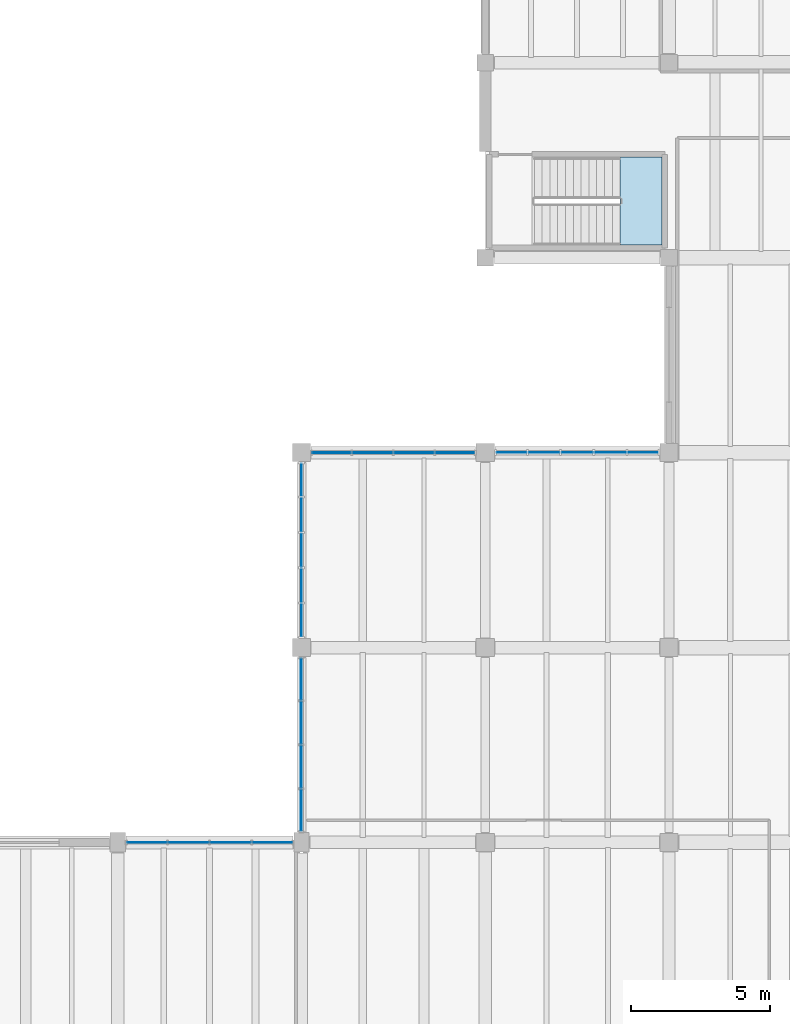
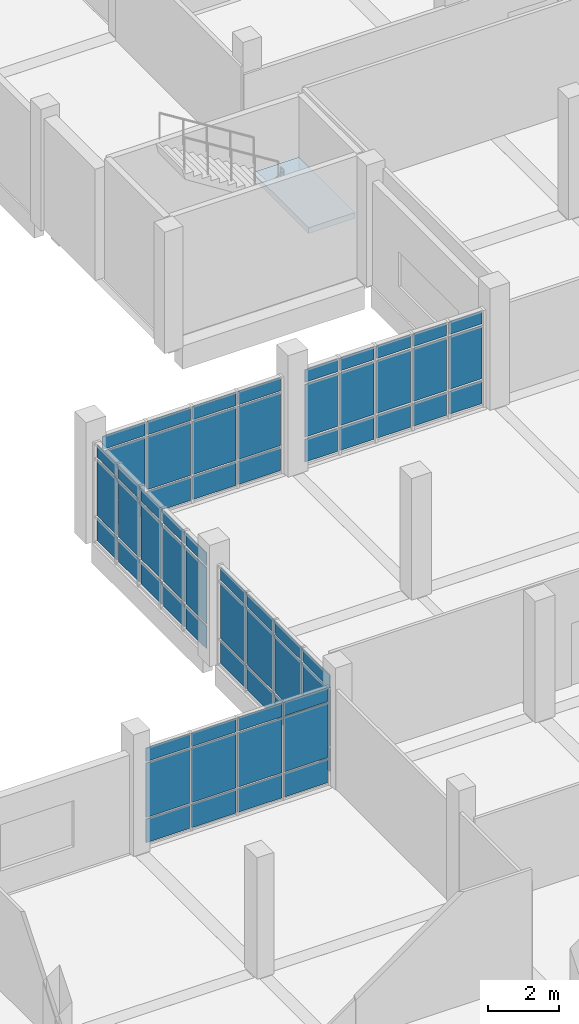
# One storey, part 34 of 68: 66 plates, 1 slab, 6 elements without a shape of their own.
"""IFC4 building model written with IfcOpenShell, lengths in metres."""

from ifc_helpers import new_model, si_unit, direction, frame, origin, origin_2d, place, context, subcontext, project, spatial, polyline, rectangle, outline, extrude, material, layer, layer_set, type_object, element, aggregate, save


model = new_model("IFC4")

# Units and contexts
model_context = context("Model", 3, precision=1e-05, world=origin(), true_north=direction((0.0, 1.0)))
body_context = subcontext(model_context, "Body", "Model", "MODEL_VIEW")
ifc_project = project(units=[si_unit("LENGTHUNIT", "METRE"), si_unit("AREAUNIT", "SQUARE_METRE"), si_unit("VOLUMEUNIT", "CUBIC_METRE"), si_unit("PLANEANGLEUNIT", "RADIAN"), si_unit("MASSUNIT", "GRAM", prefix="KILO")], contexts=[model_context])

# Site, building, storey
site_placement = place(None, origin())
site = spatial("IfcSite", under=ifc_project, at=site_placement, CompositionType="ELEMENT")
building_placement = place(site_placement, origin())
building = spatial("IfcBuilding", under=site, at=building_placement, Name="Ciguamira Faculty of Natural Sciences", CompositionType="ELEMENT")
storey_placement = place(building_placement, frame((0.0, 0.0, 4.199951171875)))
storey = spatial("IfcBuildingStorey", under=building, at=storey_placement, Name="L01", CompositionType="ELEMENT", Elevation=4.199951171875)

# Curtain wall, plates
ifc_material_1 = material(Name="Anodized aluminium curtain wall", Category="aluminium")
curtain_wall_type_1 = type_object("IfcCurtainWallType", Name="CurtainWall_CW-07", PredefinedType="USERDEFINED", material=ifc_material_1)
curtain_wall_1_placement = place(storey_placement, origin())
curtain_wall_1 = element("IfcCurtainWall", 1, at=curtain_wall_1_placement, inside=storey, type_object=curtain_wall_type_1, Name="L01 unitised curtain wall 0031", ObjectType="UNITISED CURTAIN WALL", PredefinedType="USERDEFINED")
ifc_material_2 = material(Name="Low-E laminated solar glass", Category="glass")
ifc_layer_1 = layer(ifc_material_2, 0.028076171875, Name="Low-E laminated solar glass")
ifc_layer_set_1 = layer_set([ifc_layer_1], Name="Low-E laminated solar glass")
plate_type_1 = type_object("IfcPlateType", Name="CWPanel_CWP-01", PredefinedType="CURTAIN_PANEL", material=ifc_layer_set_1)
plate_1_placement = place(storey_placement, frame((45.146240234375, 24.0, 0.06005859375), z_axis=(0.0, 0.0, 1.0), x_axis=(1.0, 0.0, 0.0)))
plate_1 = element("IfcPlate", 2, at=plate_1_placement, type_object=plate_type_1, Name="CW-07 panel 1.1", PredefinedType="CURTAIN_PANEL", context=body_context, shape_type="SweptSolid", body=[
    extrude(rectangle(XDim=1.422607421875, YDim=0.028076171875, at=origin_2d()), origin(), (0.0, 0.0, 1.0), 0.81005859375),
])
plate_2_placement = place(storey_placement, frame((45.146240234375, 24.0, 0.929931640625), z_axis=(0.0, 0.0, 1.0), x_axis=(1.0, 0.0, 0.0)))
plate_2 = element("IfcPlate", 3, at=plate_2_placement, type_object=plate_type_1, Name="CW-07 panel 1.2", PredefinedType="CURTAIN_PANEL", context=body_context, shape_type="SweptSolid", body=[
    extrude(rectangle(XDim=1.422607421875, YDim=0.028076171875, at=origin_2d()), origin(), (0.0, 0.0, 1.0), 1.875),
])
plate_3_placement = place(storey_placement, frame((45.146240234375, 24.0, 2.864990234375), z_axis=(0.0, 0.0, 1.0), x_axis=(1.0, 0.0, 0.0)))
plate_3 = element("IfcPlate", 4, at=plate_3_placement, type_object=plate_type_1, Name="CW-07 panel 1.3", PredefinedType="CURTAIN_PANEL", context=body_context, shape_type="SweptSolid", body=[
    extrude(rectangle(XDim=1.422607421875, YDim=0.028076171875, at=origin_2d()), origin(), (0.0, 0.0, 1.0), 0.4599609375),
])
plate_4_placement = place(storey_placement, frame((46.643798828125, 24.0, 0.06005859375), z_axis=(0.0, 0.0, 1.0), x_axis=(1.0, 0.0, 0.0)))
plate_4 = element("IfcPlate", 5, at=plate_4_placement, type_object=plate_type_1, Name="CW-07 panel 2.1", PredefinedType="CURTAIN_PANEL", context=body_context, shape_type="SweptSolid", body=[
    extrude(rectangle(XDim=1.452392578125, YDim=0.028076171875, at=origin_2d()), origin(), (0.0, 0.0, 1.0), 0.81005859375),
])
plate_5_placement = place(storey_placement, frame((46.643798828125, 24.0, 0.929931640625), z_axis=(0.0, 0.0, 1.0), x_axis=(1.0, 0.0, 0.0)))
plate_5 = element("IfcPlate", 6, at=plate_5_placement, type_object=plate_type_1, Name="CW-07 panel 2.2", PredefinedType="CURTAIN_PANEL", context=body_context, shape_type="SweptSolid", body=[
    extrude(rectangle(XDim=1.452392578125, YDim=0.028076171875, at=origin_2d()), origin(), (0.0, 0.0, 1.0), 1.875),
])
plate_6_placement = place(storey_placement, frame((46.643798828125, 24.0, 2.864990234375), z_axis=(0.0, 0.0, 1.0), x_axis=(1.0, 0.0, 0.0)))
plate_6 = element("IfcPlate", 7, at=plate_6_placement, type_object=plate_type_1, Name="CW-07 panel 2.3", PredefinedType="CURTAIN_PANEL", context=body_context, shape_type="SweptSolid", body=[
    extrude(rectangle(XDim=1.452392578125, YDim=0.028076171875, at=origin_2d()), origin(), (0.0, 0.0, 1.0), 0.4599609375),
])
plate_7_placement = place(storey_placement, frame((48.15625, 24.0, 0.06005859375), z_axis=(0.0, 0.0, 1.0), x_axis=(1.0, 0.0, 0.0)))
plate_7 = element("IfcPlate", 8, at=plate_7_placement, type_object=plate_type_1, Name="CW-07 panel 3.1", PredefinedType="CURTAIN_PANEL", context=body_context, shape_type="SweptSolid", body=[
    extrude(rectangle(XDim=1.452392578125, YDim=0.028076171875, at=origin_2d()), origin(), (0.0, 0.0, 1.0), 0.81005859375),
])
plate_8_placement = place(storey_placement, frame((48.15625, 24.0, 0.929931640625), z_axis=(0.0, 0.0, 1.0), x_axis=(1.0, 0.0, 0.0)))
plate_8 = element("IfcPlate", 9, at=plate_8_placement, type_object=plate_type_1, Name="CW-07 panel 3.2", PredefinedType="CURTAIN_PANEL", context=body_context, shape_type="SweptSolid", body=[
    extrude(rectangle(XDim=1.452392578125, YDim=0.028076171875, at=origin_2d()), origin(), (0.0, 0.0, 1.0), 1.875),
])
plate_9_placement = place(storey_placement, frame((48.15625, 24.0, 2.864990234375), z_axis=(0.0, 0.0, 1.0), x_axis=(1.0, 0.0, 0.0)))
plate_9 = element("IfcPlate", 10, at=plate_9_placement, type_object=plate_type_1, Name="CW-07 panel 3.3", PredefinedType="CURTAIN_PANEL", context=body_context, shape_type="SweptSolid", body=[
    extrude(rectangle(XDim=1.452392578125, YDim=0.028076171875, at=origin_2d()), origin(), (0.0, 0.0, 1.0), 0.4599609375),
])
plate_10_placement = place(storey_placement, frame((49.65380859375, 24.0, 0.06005859375), z_axis=(0.0, 0.0, 1.0), x_axis=(1.0, 0.0, 0.0)))
plate_10 = element("IfcPlate", 11, at=plate_10_placement, type_object=plate_type_1, Name="CW-07 panel 4.1", PredefinedType="CURTAIN_PANEL", context=body_context, shape_type="SweptSolid", body=[
    extrude(rectangle(XDim=1.422607421875, YDim=0.028076171875, at=origin_2d()), origin(), (0.0, 0.0, 1.0), 0.81005859375),
])
plate_11_placement = place(storey_placement, frame((49.65380859375, 24.0, 0.929931640625), z_axis=(0.0, 0.0, 1.0), x_axis=(1.0, 0.0, 0.0)))
plate_11 = element("IfcPlate", 12, at=plate_11_placement, type_object=plate_type_1, Name="CW-07 panel 4.2", PredefinedType="CURTAIN_PANEL", context=body_context, shape_type="SweptSolid", body=[
    extrude(rectangle(XDim=1.422607421875, YDim=0.028076171875, at=origin_2d()), origin(), (0.0, 0.0, 1.0), 1.875),
])
plate_12_placement = place(storey_placement, frame((49.65380859375, 24.0, 2.864990234375), z_axis=(0.0, 0.0, 1.0), x_axis=(1.0, 0.0, 0.0)))
plate_12 = element("IfcPlate", 13, at=plate_12_placement, type_object=plate_type_1, Name="CW-07 panel 4.3", PredefinedType="CURTAIN_PANEL", context=body_context, shape_type="SweptSolid", body=[
    extrude(rectangle(XDim=1.422607421875, YDim=0.028076171875, at=origin_2d()), origin(), (0.0, 0.0, 1.0), 0.4599609375),
])
aggregate(curtain_wall_1, [plate_1, plate_2, plate_3, plate_4, plate_5, plate_6, plate_7, plate_8, plate_9, plate_10, plate_11, plate_12])

curtain_wall_type_2 = type_object("IfcCurtainWallType", Name="CurtainWall_CW-09", PredefinedType="USERDEFINED", material=ifc_material_1)
curtain_wall_2_placement = place(storey_placement, origin())
curtain_wall_2 = element("IfcCurtainWall", 14, at=curtain_wall_2_placement, inside=storey, type_object=curtain_wall_type_2, Name="L01 unitised curtain wall 0033", ObjectType="UNITISED CURTAIN WALL", PredefinedType="USERDEFINED")
plate_13_placement = place(storey_placement, frame((58.239990234375, 38.0, 0.080078125), z_axis=(0.0, 0.0, 1.0), x_axis=(1.0, 0.0, 0.0)))
plate_13 = element("IfcPlate", 15, at=plate_13_placement, type_object=plate_type_1, Name="CW-09 panel 1.1", PredefinedType="CURTAIN_PANEL", context=body_context, shape_type="SweptSolid", body=[
    extrude(rectangle(XDim=1.070068359375, YDim=0.028076171875, at=origin_2d()), origin(), (0.0, 0.0, 1.0), 0.780029296875),
])
plate_14_placement = place(storey_placement, frame((58.239990234375, 38.0, 0.940185546875), z_axis=(0.0, 0.0, 1.0), x_axis=(1.0, 0.0, 0.0)))
plate_14 = element("IfcPlate", 16, at=plate_14_placement, type_object=plate_type_1, Name="CW-09 panel 1.2", PredefinedType="CURTAIN_PANEL", context=body_context, shape_type="SweptSolid", body=[
    extrude(rectangle(XDim=1.070068359375, YDim=0.028076171875, at=origin_2d()), origin(), (0.0, 0.0, 1.0), 1.81494140625),
])
plate_15_placement = place(storey_placement, frame((58.239990234375, 38.0, 2.8349609375), z_axis=(0.0, 0.0, 1.0), x_axis=(1.0, 0.0, 0.0)))
plate_15 = element("IfcPlate", 17, at=plate_15_placement, type_object=plate_type_1, Name="CW-09 panel 1.3", PredefinedType="CURTAIN_PANEL", context=body_context, shape_type="SweptSolid", body=[
    extrude(rectangle(XDim=1.070068359375, YDim=0.028076171875, at=origin_2d()), origin(), (0.0, 0.0, 1.0), 0.429931640625),
])
plate_16_placement = place(storey_placement, frame((59.409912109375, 38.0, 0.080078125), z_axis=(0.0, 0.0, 1.0), x_axis=(1.0, 0.0, 0.0)))
plate_16 = element("IfcPlate", 18, at=plate_16_placement, type_object=plate_type_1, Name="CW-09 panel 2.1", PredefinedType="CURTAIN_PANEL", context=body_context, shape_type="SweptSolid", body=[
    extrude(rectangle(XDim=1.110107421875, YDim=0.028076171875, at=origin_2d()), origin(), (0.0, 0.0, 1.0), 0.780029296875),
])
plate_17_placement = place(storey_placement, frame((59.409912109375, 38.0, 0.940185546875), z_axis=(0.0, 0.0, 1.0), x_axis=(1.0, 0.0, 0.0)))
plate_17 = element("IfcPlate", 19, at=plate_17_placement, type_object=plate_type_1, Name="CW-09 panel 2.2", PredefinedType="CURTAIN_PANEL", context=body_context, shape_type="SweptSolid", body=[
    extrude(rectangle(XDim=1.110107421875, YDim=0.028076171875, at=origin_2d()), origin(), (0.0, 0.0, 1.0), 1.81494140625),
])
plate_18_placement = place(storey_placement, frame((59.409912109375, 38.0, 2.8349609375), z_axis=(0.0, 0.0, 1.0), x_axis=(1.0, 0.0, 0.0)))
plate_18 = element("IfcPlate", 20, at=plate_18_placement, type_object=plate_type_1, Name="CW-09 panel 2.3", PredefinedType="CURTAIN_PANEL", context=body_context, shape_type="SweptSolid", body=[
    extrude(rectangle(XDim=1.110107421875, YDim=0.028076171875, at=origin_2d()), origin(), (0.0, 0.0, 1.0), 0.429931640625),
])
plate_19_placement = place(storey_placement, frame((60.60009765625, 38.0, 0.080078125), z_axis=(0.0, 0.0, 1.0), x_axis=(1.0, 0.0, 0.0)))
plate_19 = element("IfcPlate", 21, at=plate_19_placement, type_object=plate_type_1, Name="CW-09 panel 3.1", PredefinedType="CURTAIN_PANEL", context=body_context, shape_type="SweptSolid", body=[
    extrude(rectangle(XDim=1.110107421875, YDim=0.028076171875, at=origin_2d()), origin(), (0.0, 0.0, 1.0), 0.780029296875),
])
plate_20_placement = place(storey_placement, frame((60.60009765625, 38.0, 0.940185546875), z_axis=(0.0, 0.0, 1.0), x_axis=(1.0, 0.0, 0.0)))
plate_20 = element("IfcPlate", 22, at=plate_20_placement, type_object=plate_type_1, Name="CW-09 panel 3.2", PredefinedType="CURTAIN_PANEL", context=body_context, shape_type="SweptSolid", body=[
    extrude(rectangle(XDim=1.110107421875, YDim=0.028076171875, at=origin_2d()), origin(), (0.0, 0.0, 1.0), 1.81494140625),
])
plate_21_placement = place(storey_placement, frame((60.60009765625, 38.0, 2.8349609375), z_axis=(0.0, 0.0, 1.0), x_axis=(1.0, 0.0, 0.0)))
plate_21 = element("IfcPlate", 23, at=plate_21_placement, type_object=plate_type_1, Name="CW-09 panel 3.3", PredefinedType="CURTAIN_PANEL", context=body_context, shape_type="SweptSolid", body=[
    extrude(rectangle(XDim=1.110107421875, YDim=0.028076171875, at=origin_2d()), origin(), (0.0, 0.0, 1.0), 0.429931640625),
])
plate_22_placement = place(storey_placement, frame((61.7900390625, 38.0, 0.080078125), z_axis=(0.0, 0.0, 1.0), x_axis=(1.0, 0.0, 0.0)))
plate_22 = element("IfcPlate", 24, at=plate_22_placement, type_object=plate_type_1, Name="CW-09 panel 4.1", PredefinedType="CURTAIN_PANEL", context=body_context, shape_type="SweptSolid", body=[
    extrude(rectangle(XDim=1.110107421875, YDim=0.028076171875, at=origin_2d()), origin(), (0.0, 0.0, 1.0), 0.780029296875),
])
plate_23_placement = place(storey_placement, frame((61.7900390625, 38.0, 0.940185546875), z_axis=(0.0, 0.0, 1.0), x_axis=(1.0, 0.0, 0.0)))
plate_23 = element("IfcPlate", 25, at=plate_23_placement, type_object=plate_type_1, Name="CW-09 panel 4.2", PredefinedType="CURTAIN_PANEL", context=body_context, shape_type="SweptSolid", body=[
    extrude(rectangle(XDim=1.110107421875, YDim=0.028076171875, at=origin_2d()), origin(), (0.0, 0.0, 1.0), 1.81494140625),
])
plate_24_placement = place(storey_placement, frame((61.7900390625, 38.0, 2.8349609375), z_axis=(0.0, 0.0, 1.0), x_axis=(1.0, 0.0, 0.0)))
plate_24 = element("IfcPlate", 26, at=plate_24_placement, type_object=plate_type_1, Name="CW-09 panel 4.3", PredefinedType="CURTAIN_PANEL", context=body_context, shape_type="SweptSolid", body=[
    extrude(rectangle(XDim=1.110107421875, YDim=0.028076171875, at=origin_2d()), origin(), (0.0, 0.0, 1.0), 0.429931640625),
])
plate_25_placement = place(storey_placement, frame((62.9599609375, 38.0, 0.080078125), z_axis=(0.0, 0.0, 1.0), x_axis=(1.0, 0.0, 0.0)))
plate_25 = element("IfcPlate", 27, at=plate_25_placement, type_object=plate_type_1, Name="CW-09 panel 5.1", PredefinedType="CURTAIN_PANEL", context=body_context, shape_type="SweptSolid", body=[
    extrude(rectangle(XDim=1.070068359375, YDim=0.028076171875, at=origin_2d()), origin(), (0.0, 0.0, 1.0), 0.780029296875),
])
plate_26_placement = place(storey_placement, frame((62.9599609375, 38.0, 0.940185546875), z_axis=(0.0, 0.0, 1.0), x_axis=(1.0, 0.0, 0.0)))
plate_26 = element("IfcPlate", 28, at=plate_26_placement, type_object=plate_type_1, Name="CW-09 panel 5.2", PredefinedType="CURTAIN_PANEL", context=body_context, shape_type="SweptSolid", body=[
    extrude(rectangle(XDim=1.070068359375, YDim=0.028076171875, at=origin_2d()), origin(), (0.0, 0.0, 1.0), 1.81494140625),
])
plate_27_placement = place(storey_placement, frame((62.9599609375, 38.0, 2.8349609375), z_axis=(0.0, 0.0, 1.0), x_axis=(1.0, 0.0, 0.0)))
plate_27 = element("IfcPlate", 29, at=plate_27_placement, type_object=plate_type_1, Name="CW-09 panel 5.3", PredefinedType="CURTAIN_PANEL", context=body_context, shape_type="SweptSolid", body=[
    extrude(rectangle(XDim=1.070068359375, YDim=0.028076171875, at=origin_2d()), origin(), (0.0, 0.0, 1.0), 0.429931640625),
])
aggregate(curtain_wall_2, [plate_13, plate_14, plate_15, plate_16, plate_17, plate_18, plate_19, plate_20, plate_21, plate_22, plate_23, plate_24, plate_25, plate_26, plate_27])

curtain_wall_type_3 = type_object("IfcCurtainWallType", Name="CurtainWall_CW-03", PredefinedType="USERDEFINED", material=ifc_material_1)
curtain_wall_3_placement = place(storey_placement, origin())
curtain_wall_3 = element("IfcCurtainWall", 30, at=curtain_wall_3_placement, inside=storey, type_object=curtain_wall_type_3, Name="L01 unitised curtain wall 0051", ObjectType="UNITISED CURTAIN WALL", PredefinedType="USERDEFINED")
plate_28_placement = place(storey_placement, frame((50.699951171875, 31.97998046875, 0.080078125), z_axis=(0.0, 0.0, 1.0), x_axis=(0.0, 1.0, 0.0)))
plate_28 = element("IfcPlate", 31, at=plate_28_placement, type_object=plate_type_1, Name="CW-03 panel 1.1", PredefinedType="CURTAIN_PANEL", context=body_context, shape_type="SweptSolid", body=[
    extrude(rectangle(XDim=1.14990234375, YDim=0.028076171875, at=origin_2d()), origin(), (0.0, 0.0, 1.0), 0.780029296875),
])
plate_29_placement = place(storey_placement, frame((50.699951171875, 31.97998046875, 0.93994140625), z_axis=(0.0, 0.0, 1.0), x_axis=(0.0, 1.0, 0.0)))
plate_29 = element("IfcPlate", 32, at=plate_29_placement, type_object=plate_type_1, Name="CW-03 panel 1.2", PredefinedType="CURTAIN_PANEL", context=body_context, shape_type="SweptSolid", body=[
    extrude(rectangle(XDim=1.14990234375, YDim=0.028076171875, at=origin_2d()), origin(), (0.0, 0.0, 1.0), 1.93505859375),
])
plate_30_placement = place(storey_placement, frame((50.699951171875, 31.97998046875, 2.955078125), z_axis=(0.0, 0.0, 1.0), x_axis=(0.0, 1.0, 0.0)))
plate_30 = element("IfcPlate", 33, at=plate_30_placement, type_object=plate_type_1, Name="CW-03 panel 1.3", PredefinedType="CURTAIN_PANEL", context=body_context, shape_type="SweptSolid", body=[
    extrude(rectangle(XDim=1.14990234375, YDim=0.028076171875, at=origin_2d()), origin(), (0.0, 0.0, 1.0), 0.429931640625),
])
plate_31_placement = place(storey_placement, frame((50.699951171875, 33.22998046875, 0.080078125), z_axis=(0.0, 0.0, 1.0), x_axis=(0.0, 1.0, 0.0)))
plate_31 = element("IfcPlate", 34, at=plate_31_placement, type_object=plate_type_1, Name="CW-03 panel 2.1", PredefinedType="CURTAIN_PANEL", context=body_context, shape_type="SweptSolid", body=[
    extrude(rectangle(XDim=1.18994140625, YDim=0.028076171875, at=origin_2d()), origin(), (0.0, 0.0, 1.0), 0.780029296875),
])
plate_32_placement = place(storey_placement, frame((50.699951171875, 33.22998046875, 0.93994140625), z_axis=(0.0, 0.0, 1.0), x_axis=(0.0, 1.0, 0.0)))
plate_32 = element("IfcPlate", 35, at=plate_32_placement, type_object=plate_type_1, Name="CW-03 panel 2.2", PredefinedType="CURTAIN_PANEL", context=body_context, shape_type="SweptSolid", body=[
    extrude(rectangle(XDim=1.18994140625, YDim=0.028076171875, at=origin_2d()), origin(), (0.0, 0.0, 1.0), 1.93505859375),
])
plate_33_placement = place(storey_placement, frame((50.699951171875, 33.22998046875, 2.955078125), z_axis=(0.0, 0.0, 1.0), x_axis=(0.0, 1.0, 0.0)))
plate_33 = element("IfcPlate", 36, at=plate_33_placement, type_object=plate_type_1, Name="CW-03 panel 2.3", PredefinedType="CURTAIN_PANEL", context=body_context, shape_type="SweptSolid", body=[
    extrude(rectangle(XDim=1.18994140625, YDim=0.028076171875, at=origin_2d()), origin(), (0.0, 0.0, 1.0), 0.429931640625),
])
plate_34_placement = place(storey_placement, frame((50.699951171875, 34.5, 0.080078125), z_axis=(0.0, 0.0, 1.0), x_axis=(0.0, 1.0, 0.0)))
plate_34 = element("IfcPlate", 37, at=plate_34_placement, type_object=plate_type_1, Name="CW-03 panel 3.1", PredefinedType="CURTAIN_PANEL", context=body_context, shape_type="SweptSolid", body=[
    extrude(rectangle(XDim=1.18994140625, YDim=0.028076171875, at=origin_2d()), origin(), (0.0, 0.0, 1.0), 0.780029296875),
])
plate_35_placement = place(storey_placement, frame((50.699951171875, 34.5, 0.93994140625), z_axis=(0.0, 0.0, 1.0), x_axis=(0.0, 1.0, 0.0)))
plate_35 = element("IfcPlate", 38, at=plate_35_placement, type_object=plate_type_1, Name="CW-03 panel 3.2", PredefinedType="CURTAIN_PANEL", context=body_context, shape_type="SweptSolid", body=[
    extrude(rectangle(XDim=1.18994140625, YDim=0.028076171875, at=origin_2d()), origin(), (0.0, 0.0, 1.0), 1.93505859375),
])
plate_36_placement = place(storey_placement, frame((50.699951171875, 34.5, 2.955078125), z_axis=(0.0, 0.0, 1.0), x_axis=(0.0, 1.0, 0.0)))
plate_36 = element("IfcPlate", 39, at=plate_36_placement, type_object=plate_type_1, Name="CW-03 panel 3.3", PredefinedType="CURTAIN_PANEL", context=body_context, shape_type="SweptSolid", body=[
    extrude(rectangle(XDim=1.18994140625, YDim=0.028076171875, at=origin_2d()), origin(), (0.0, 0.0, 1.0), 0.429931640625),
])
plate_37_placement = place(storey_placement, frame((50.699951171875, 35.77001953125, 0.080078125), z_axis=(0.0, 0.0, 1.0), x_axis=(0.0, 1.0, 0.0)))
plate_37 = element("IfcPlate", 40, at=plate_37_placement, type_object=plate_type_1, Name="CW-03 panel 4.1", PredefinedType="CURTAIN_PANEL", context=body_context, shape_type="SweptSolid", body=[
    extrude(rectangle(XDim=1.18994140625, YDim=0.028076171875, at=origin_2d()), origin(), (0.0, 0.0, 1.0), 0.780029296875),
])
plate_38_placement = place(storey_placement, frame((50.699951171875, 35.77001953125, 0.93994140625), z_axis=(0.0, 0.0, 1.0), x_axis=(0.0, 1.0, 0.0)))
plate_38 = element("IfcPlate", 41, at=plate_38_placement, type_object=plate_type_1, Name="CW-03 panel 4.2", PredefinedType="CURTAIN_PANEL", context=body_context, shape_type="SweptSolid", body=[
    extrude(rectangle(XDim=1.18994140625, YDim=0.028076171875, at=origin_2d()), origin(), (0.0, 0.0, 1.0), 1.93505859375),
])
plate_39_placement = place(storey_placement, frame((50.699951171875, 35.77001953125, 2.955078125), z_axis=(0.0, 0.0, 1.0), x_axis=(0.0, 1.0, 0.0)))
plate_39 = element("IfcPlate", 42, at=plate_39_placement, type_object=plate_type_1, Name="CW-03 panel 4.3", PredefinedType="CURTAIN_PANEL", context=body_context, shape_type="SweptSolid", body=[
    extrude(rectangle(XDim=1.18994140625, YDim=0.028076171875, at=origin_2d()), origin(), (0.0, 0.0, 1.0), 0.429931640625),
])
plate_40_placement = place(storey_placement, frame((50.699951171875, 37.02001953125, 0.080078125), z_axis=(0.0, 0.0, 1.0), x_axis=(0.0, 1.0, 0.0)))
plate_40 = element("IfcPlate", 43, at=plate_40_placement, type_object=plate_type_1, Name="CW-03 panel 5.1", PredefinedType="CURTAIN_PANEL", context=body_context, shape_type="SweptSolid", body=[
    extrude(rectangle(XDim=1.14990234375, YDim=0.028076171875, at=origin_2d()), origin(), (0.0, 0.0, 1.0), 0.780029296875),
])
plate_41_placement = place(storey_placement, frame((50.699951171875, 37.02001953125, 0.93994140625), z_axis=(0.0, 0.0, 1.0), x_axis=(0.0, 1.0, 0.0)))
plate_41 = element("IfcPlate", 44, at=plate_41_placement, type_object=plate_type_1, Name="CW-03 panel 5.2", PredefinedType="CURTAIN_PANEL", context=body_context, shape_type="SweptSolid", body=[
    extrude(rectangle(XDim=1.14990234375, YDim=0.028076171875, at=origin_2d()), origin(), (0.0, 0.0, 1.0), 1.93505859375),
])
plate_42_placement = place(storey_placement, frame((50.699951171875, 37.02001953125, 2.955078125), z_axis=(0.0, 0.0, 1.0), x_axis=(0.0, 1.0, 0.0)))
plate_42 = element("IfcPlate", 45, at=plate_42_placement, type_object=plate_type_1, Name="CW-03 panel 5.3", PredefinedType="CURTAIN_PANEL", context=body_context, shape_type="SweptSolid", body=[
    extrude(rectangle(XDim=1.14990234375, YDim=0.028076171875, at=origin_2d()), origin(), (0.0, 0.0, 1.0), 0.429931640625),
])
aggregate(curtain_wall_3, [plate_28, plate_29, plate_30, plate_31, plate_32, plate_33, plate_34, plate_35, plate_36, plate_37, plate_38, plate_39, plate_40, plate_41, plate_42])

curtain_wall_type_4 = type_object("IfcCurtainWallType", Name="CurtainWall_CW-08", PredefinedType="USERDEFINED", material=ifc_material_1)
curtain_wall_4_placement = place(storey_placement, origin())
curtain_wall_4 = element("IfcCurtainWall", 46, at=curtain_wall_4_placement, inside=storey, type_object=curtain_wall_type_4, Name="L01 unitised curtain wall 0032", ObjectType="UNITISED CURTAIN WALL", PredefinedType="USERDEFINED")
ifc_layer_2 = layer(ifc_material_2, 0.035888671875, Name="Low-E laminated solar glass")
ifc_layer_set_2 = layer_set([ifc_layer_2], Name="Low-E laminated solar glass")
plate_type_2 = type_object("IfcPlateType", Name="CWPanel_CWP-02", PredefinedType="CURTAIN_PANEL", material=ifc_layer_set_2)
plate_43_placement = place(storey_placement, frame((51.7861328125, 38.0, 0.070068359375), z_axis=(0.0, 0.0, 1.0), x_axis=(1.0, 0.0, 0.0)))
plate_43 = element("IfcPlate", 47, at=plate_43_placement, type_object=plate_type_2, Name="CW-08 panel 1.1", PredefinedType="CURTAIN_PANEL", context=body_context, shape_type="SweptSolid", body=[
    extrude(rectangle(XDim=1.382568359375, YDim=0.035888671875, at=origin_2d()), origin(), (0.0, 0.0, 1.0), 0.794921875),
])
plate_44_placement = place(storey_placement, frame((51.7861328125, 38.0, 0.93505859375), z_axis=(0.0, 0.0, 1.0), x_axis=(1.0, 0.0, 0.0)))
plate_44 = element("IfcPlate", 48, at=plate_44_placement, type_object=plate_type_2, Name="CW-08 panel 1.2", PredefinedType="CURTAIN_PANEL", context=body_context, shape_type="SweptSolid", body=[
    extrude(rectangle(XDim=1.382568359375, YDim=0.035888671875, at=origin_2d()), origin(), (0.0, 0.0, 1.0), 1.824951171875),
])
plate_45_placement = place(storey_placement, frame((51.7861328125, 38.0, 2.830078125), z_axis=(0.0, 0.0, 1.0), x_axis=(1.0, 0.0, 0.0)))
plate_45 = element("IfcPlate", 49, at=plate_45_placement, type_object=plate_type_2, Name="CW-08 panel 1.3", PredefinedType="CURTAIN_PANEL", context=body_context, shape_type="SweptSolid", body=[
    extrude(rectangle(XDim=1.382568359375, YDim=0.035888671875, at=origin_2d()), origin(), (0.0, 0.0, 1.0), 0.445068359375),
])
plate_46_placement = place(storey_placement, frame((53.25634765625, 38.0, 0.070068359375), z_axis=(0.0, 0.0, 1.0), x_axis=(1.0, 0.0, 0.0)))
plate_46 = element("IfcPlate", 50, at=plate_46_placement, type_object=plate_type_2, Name="CW-08 panel 2.1", PredefinedType="CURTAIN_PANEL", context=body_context, shape_type="SweptSolid", body=[
    extrude(rectangle(XDim=1.41748046875, YDim=0.035888671875, at=origin_2d()), origin(), (0.0, 0.0, 1.0), 0.794921875),
])
plate_47_placement = place(storey_placement, frame((53.25634765625, 38.0, 0.93505859375), z_axis=(0.0, 0.0, 1.0), x_axis=(1.0, 0.0, 0.0)))
plate_47 = element("IfcPlate", 51, at=plate_47_placement, type_object=plate_type_2, Name="CW-08 panel 2.2", PredefinedType="CURTAIN_PANEL", context=body_context, shape_type="SweptSolid", body=[
    extrude(rectangle(XDim=1.41748046875, YDim=0.035888671875, at=origin_2d()), origin(), (0.0, 0.0, 1.0), 1.824951171875),
])
plate_48_placement = place(storey_placement, frame((53.25634765625, 38.0, 2.830078125), z_axis=(0.0, 0.0, 1.0), x_axis=(1.0, 0.0, 0.0)))
plate_48 = element("IfcPlate", 52, at=plate_48_placement, type_object=plate_type_2, Name="CW-08 panel 2.3", PredefinedType="CURTAIN_PANEL", context=body_context, shape_type="SweptSolid", body=[
    extrude(rectangle(XDim=1.41748046875, YDim=0.035888671875, at=origin_2d()), origin(), (0.0, 0.0, 1.0), 0.445068359375),
])
plate_49_placement = place(storey_placement, frame((54.74365234375, 38.0, 0.070068359375), z_axis=(0.0, 0.0, 1.0), x_axis=(1.0, 0.0, 0.0)))
plate_49 = element("IfcPlate", 53, at=plate_49_placement, type_object=plate_type_2, Name="CW-08 panel 3.1", PredefinedType="CURTAIN_PANEL", context=body_context, shape_type="SweptSolid", body=[
    extrude(rectangle(XDim=1.41748046875, YDim=0.035888671875, at=origin_2d()), origin(), (0.0, 0.0, 1.0), 0.794921875),
])
plate_50_placement = place(storey_placement, frame((54.74365234375, 38.0, 0.93505859375), z_axis=(0.0, 0.0, 1.0), x_axis=(1.0, 0.0, 0.0)))
plate_50 = element("IfcPlate", 54, at=plate_50_placement, type_object=plate_type_2, Name="CW-08 panel 3.2", PredefinedType="CURTAIN_PANEL", context=body_context, shape_type="SweptSolid", body=[
    extrude(rectangle(XDim=1.41748046875, YDim=0.035888671875, at=origin_2d()), origin(), (0.0, 0.0, 1.0), 1.824951171875),
])
plate_51_placement = place(storey_placement, frame((54.74365234375, 38.0, 2.830078125), z_axis=(0.0, 0.0, 1.0), x_axis=(1.0, 0.0, 0.0)))
plate_51 = element("IfcPlate", 55, at=plate_51_placement, type_object=plate_type_2, Name="CW-08 panel 3.3", PredefinedType="CURTAIN_PANEL", context=body_context, shape_type="SweptSolid", body=[
    extrude(rectangle(XDim=1.41748046875, YDim=0.035888671875, at=origin_2d()), origin(), (0.0, 0.0, 1.0), 0.445068359375),
])
plate_52_placement = place(storey_placement, frame((56.2138671875, 38.0, 0.070068359375), z_axis=(0.0, 0.0, 1.0), x_axis=(1.0, 0.0, 0.0)))
plate_52 = element("IfcPlate", 56, at=plate_52_placement, type_object=plate_type_2, Name="CW-08 panel 4.1", PredefinedType="CURTAIN_PANEL", context=body_context, shape_type="SweptSolid", body=[
    extrude(rectangle(XDim=1.382568359375, YDim=0.035888671875, at=origin_2d()), origin(), (0.0, 0.0, 1.0), 0.794921875),
])
plate_53_placement = place(storey_placement, frame((56.2138671875, 38.0, 0.93505859375), z_axis=(0.0, 0.0, 1.0), x_axis=(1.0, 0.0, 0.0)))
plate_53 = element("IfcPlate", 57, at=plate_53_placement, type_object=plate_type_2, Name="CW-08 panel 4.2", PredefinedType="CURTAIN_PANEL", context=body_context, shape_type="SweptSolid", body=[
    extrude(rectangle(XDim=1.382568359375, YDim=0.035888671875, at=origin_2d()), origin(), (0.0, 0.0, 1.0), 1.824951171875),
])
plate_54_placement = place(storey_placement, frame((56.2138671875, 38.0, 2.830078125), z_axis=(0.0, 0.0, 1.0), x_axis=(1.0, 0.0, 0.0)))
plate_54 = element("IfcPlate", 58, at=plate_54_placement, type_object=plate_type_2, Name="CW-08 panel 4.3", PredefinedType="CURTAIN_PANEL", context=body_context, shape_type="SweptSolid", body=[
    extrude(rectangle(XDim=1.382568359375, YDim=0.035888671875, at=origin_2d()), origin(), (0.0, 0.0, 1.0), 0.445068359375),
])
aggregate(curtain_wall_4, [plate_43, plate_44, plate_45, plate_46, plate_47, plate_48, plate_49, plate_50, plate_51, plate_52, plate_53, plate_54])

curtain_wall_type_5 = type_object("IfcCurtainWallType", Name="CurtainWall_CW-02", PredefinedType="USERDEFINED", material=ifc_material_1)
curtain_wall_5_placement = place(storey_placement, origin())
curtain_wall_5 = element("IfcCurtainWall", 59, at=curtain_wall_5_placement, inside=storey, type_object=curtain_wall_type_5, Name="L01 unitised curtain wall 0050", ObjectType="UNITISED CURTAIN WALL", PredefinedType="USERDEFINED")
plate_55_placement = place(storey_placement, frame((50.699951171875, 25.158203125, 0.070068359375), z_axis=(0.0, 0.0, 1.0), x_axis=(0.0, 1.0, 0.0)))
plate_55 = element("IfcPlate", 60, at=plate_55_placement, type_object=plate_type_2, Name="CW-02 panel 1.1", PredefinedType="CURTAIN_PANEL", context=body_context, shape_type="SweptSolid", body=[
    extrude(rectangle(XDim=1.476318359375, YDim=0.035888671875, at=origin_2d()), origin(), (0.0, 0.0, 1.0), 0.794921875),
])
plate_56_placement = place(storey_placement, frame((50.699951171875, 25.158203125, 0.93505859375), z_axis=(0.0, 0.0, 1.0), x_axis=(0.0, 1.0, 0.0)))
plate_56 = element("IfcPlate", 61, at=plate_56_placement, type_object=plate_type_2, Name="CW-02 panel 1.2", PredefinedType="CURTAIN_PANEL", context=body_context, shape_type="SweptSolid", body=[
    extrude(rectangle(XDim=1.476318359375, YDim=0.035888671875, at=origin_2d()), origin(), (0.0, 0.0, 1.0), 1.945068359375),
])
plate_57_placement = place(storey_placement, frame((50.699951171875, 25.158203125, 2.9501953125), z_axis=(0.0, 0.0, 1.0), x_axis=(0.0, 1.0, 0.0)))
plate_57 = element("IfcPlate", 62, at=plate_57_placement, type_object=plate_type_2, Name="CW-02 panel 1.3", PredefinedType="CURTAIN_PANEL", context=body_context, shape_type="SweptSolid", body=[
    extrude(rectangle(XDim=1.476318359375, YDim=0.035888671875, at=origin_2d()), origin(), (0.0, 0.0, 1.0), 0.445068359375),
])
plate_58_placement = place(storey_placement, frame((50.699951171875, 26.721923828125, 0.070068359375), z_axis=(0.0, 0.0, 1.0), x_axis=(0.0, 1.0, 0.0)))
plate_58 = element("IfcPlate", 63, at=plate_58_placement, type_object=plate_type_2, Name="CW-02 panel 2.1", PredefinedType="CURTAIN_PANEL", context=body_context, shape_type="SweptSolid", body=[
    extrude(rectangle(XDim=1.51123046875, YDim=0.035888671875, at=origin_2d()), origin(), (0.0, 0.0, 1.0), 0.794921875),
])
plate_59_placement = place(storey_placement, frame((50.699951171875, 26.721923828125, 0.93505859375), z_axis=(0.0, 0.0, 1.0), x_axis=(0.0, 1.0, 0.0)))
plate_59 = element("IfcPlate", 64, at=plate_59_placement, type_object=plate_type_2, Name="CW-02 panel 2.2", PredefinedType="CURTAIN_PANEL", context=body_context, shape_type="SweptSolid", body=[
    extrude(rectangle(XDim=1.51123046875, YDim=0.035888671875, at=origin_2d()), origin(), (0.0, 0.0, 1.0), 1.945068359375),
])
plate_60_placement = place(storey_placement, frame((50.699951171875, 26.721923828125, 2.9501953125), z_axis=(0.0, 0.0, 1.0), x_axis=(0.0, 1.0, 0.0)))
plate_60 = element("IfcPlate", 65, at=plate_60_placement, type_object=plate_type_2, Name="CW-02 panel 2.3", PredefinedType="CURTAIN_PANEL", context=body_context, shape_type="SweptSolid", body=[
    extrude(rectangle(XDim=1.51123046875, YDim=0.035888671875, at=origin_2d()), origin(), (0.0, 0.0, 1.0), 0.445068359375),
])
plate_61_placement = place(storey_placement, frame((50.699951171875, 28.30322265625, 0.070068359375), z_axis=(0.0, 0.0, 1.0), x_axis=(0.0, 1.0, 0.0)))
plate_61 = element("IfcPlate", 66, at=plate_61_placement, type_object=plate_type_2, Name="CW-02 panel 3.1", PredefinedType="CURTAIN_PANEL", context=body_context, shape_type="SweptSolid", body=[
    extrude(rectangle(XDim=1.51123046875, YDim=0.035888671875, at=origin_2d()), origin(), (0.0, 0.0, 1.0), 0.794921875),
])
plate_62_placement = place(storey_placement, frame((50.699951171875, 28.30322265625, 0.93505859375), z_axis=(0.0, 0.0, 1.0), x_axis=(0.0, 1.0, 0.0)))
plate_62 = element("IfcPlate", 67, at=plate_62_placement, type_object=plate_type_2, Name="CW-02 panel 3.2", PredefinedType="CURTAIN_PANEL", context=body_context, shape_type="SweptSolid", body=[
    extrude(rectangle(XDim=1.51123046875, YDim=0.035888671875, at=origin_2d()), origin(), (0.0, 0.0, 1.0), 1.945068359375),
])
plate_63_placement = place(storey_placement, frame((50.699951171875, 28.30322265625, 2.9501953125), z_axis=(0.0, 0.0, 1.0), x_axis=(0.0, 1.0, 0.0)))
plate_63 = element("IfcPlate", 68, at=plate_63_placement, type_object=plate_type_2, Name="CW-02 panel 3.3", PredefinedType="CURTAIN_PANEL", context=body_context, shape_type="SweptSolid", body=[
    extrude(rectangle(XDim=1.51123046875, YDim=0.035888671875, at=origin_2d()), origin(), (0.0, 0.0, 1.0), 0.445068359375),
])
plate_64_placement = place(storey_placement, frame((50.699951171875, 29.866943359375, 0.070068359375), z_axis=(0.0, 0.0, 1.0), x_axis=(0.0, 1.0, 0.0)))
plate_64 = element("IfcPlate", 69, at=plate_64_placement, type_object=plate_type_2, Name="CW-02 panel 4.1", PredefinedType="CURTAIN_PANEL", context=body_context, shape_type="SweptSolid", body=[
    extrude(rectangle(XDim=1.476318359375, YDim=0.035888671875, at=origin_2d()), origin(), (0.0, 0.0, 1.0), 0.794921875),
])
plate_65_placement = place(storey_placement, frame((50.699951171875, 29.866943359375, 0.93505859375), z_axis=(0.0, 0.0, 1.0), x_axis=(0.0, 1.0, 0.0)))
plate_65 = element("IfcPlate", 70, at=plate_65_placement, type_object=plate_type_2, Name="CW-02 panel 4.2", PredefinedType="CURTAIN_PANEL", context=body_context, shape_type="SweptSolid", body=[
    extrude(rectangle(XDim=1.476318359375, YDim=0.035888671875, at=origin_2d()), origin(), (0.0, 0.0, 1.0), 1.945068359375),
])
plate_66_placement = place(storey_placement, frame((50.699951171875, 29.866943359375, 2.9501953125), z_axis=(0.0, 0.0, 1.0), x_axis=(0.0, 1.0, 0.0)))
plate_66 = element("IfcPlate", 71, at=plate_66_placement, type_object=plate_type_2, Name="CW-02 panel 4.3", PredefinedType="CURTAIN_PANEL", context=body_context, shape_type="SweptSolid", body=[
    extrude(rectangle(XDim=1.476318359375, YDim=0.035888671875, at=origin_2d()), origin(), (0.0, 0.0, 1.0), 0.445068359375),
])
aggregate(curtain_wall_5, [plate_55, plate_56, plate_57, plate_58, plate_59, plate_60, plate_61, plate_62, plate_63, plate_64, plate_65, plate_66])

# Stair, slab
ifc_material_3 = material(Name="Concrete C40/50", Category="concrete")
stair_type = type_object("IfcStairType", Name="Stair_STR-01", PredefinedType="HALF_TURN_STAIR", material=ifc_material_3)
stair_placement = place(storey_placement, origin())
stair = element("IfcStair", 72, at=stair_placement, inside=storey, type_object=stair_type, Name="L01 Wave Labs South-West Exit Stair", PredefinedType="HALF_TURN_STAIR")
ifc_layer_3 = layer(ifc_material_3, 0.199951171875, Name="Concrete C40/50")
ifc_layer_set_3 = layer_set([ifc_layer_3], Name="Concrete C40/50")
slab_type = type_object("IfcSlabType", Name="StairLanding_SLD01", PredefinedType="LANDING", material=ifc_layer_set_3)
slab_placement = place(storey_placement, frame((0.0, 0.0, 1.900146484375)))
slab = element("IfcSlab", 73, at=slab_placement, type_object=slab_type, Name="ST-W1 landing 1", PredefinedType="LANDING", context=body_context, shape_type="SweptSolid", body=[
    extrude(outline(polyline([(62.139892578125, 45.449951171875), (63.64990234375, 45.449951171875), (63.64990234375, 48.610107421875), (62.139892578125, 48.610107421875), (62.139892578125, 45.449951171875)])), origin(), (0.0, 0.0, 1.0), 0.199951171875),
])
aggregate(stair, [slab])

save(model, "model.ifc")
